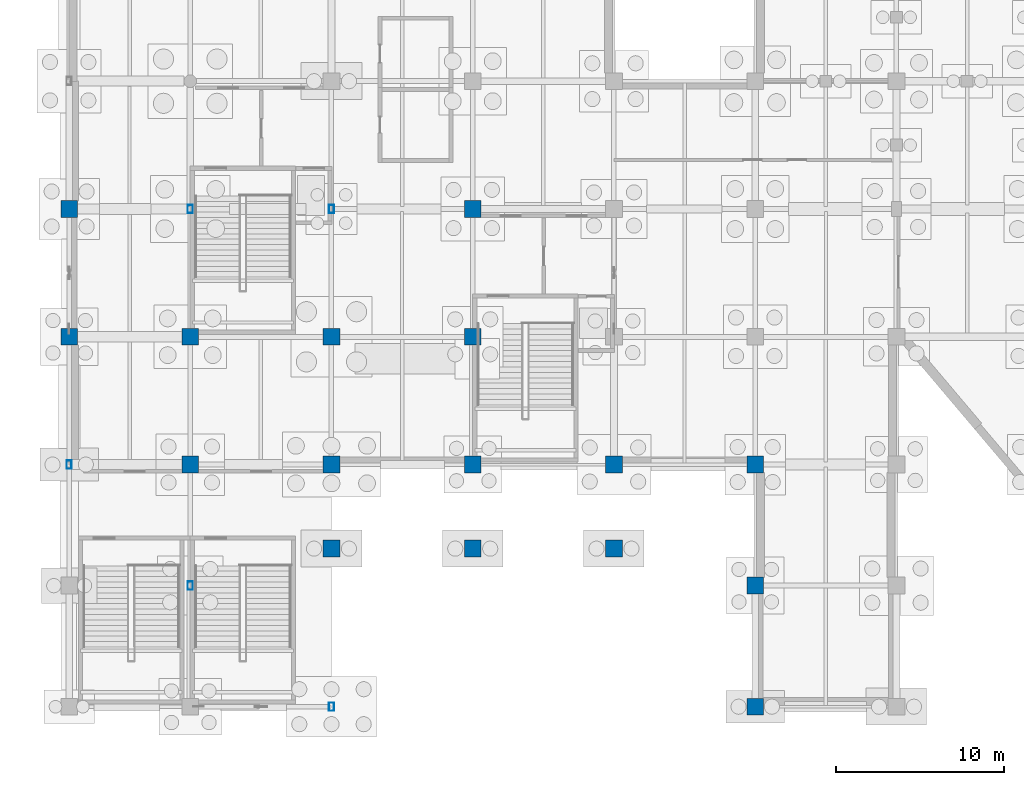
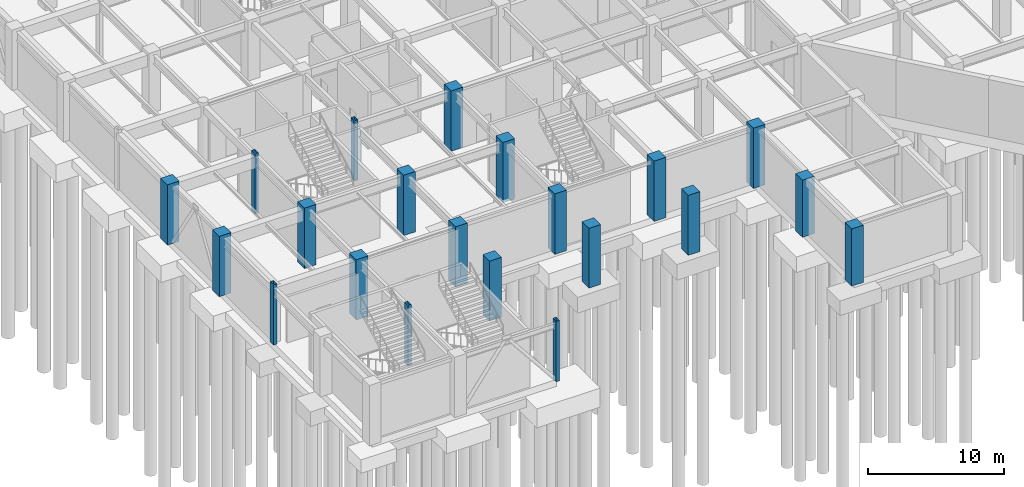
# One storey, part 14 of 52: 21 columns.
"""IFC4 building model written with IfcOpenShell, lengths in metres."""

from ifc_helpers import new_model, si_unit, direction, frame, origin, origin_2d, place, context, subcontext, project, spatial, rectangle, hollow_rectangle, extrude, material, material_profile, profile_set, type_object, element, save


model = new_model("IFC4")

# Units and contexts
model_context = context("Model", 3, precision=1e-05, world=origin(), true_north=direction((0.0, 1.0)))
body_context = subcontext(model_context, "Body", "Model", "MODEL_VIEW")
ifc_project = project(units=[si_unit("LENGTHUNIT", "METRE"), si_unit("AREAUNIT", "SQUARE_METRE"), si_unit("VOLUMEUNIT", "CUBIC_METRE"), si_unit("PLANEANGLEUNIT", "RADIAN"), si_unit("MASSUNIT", "GRAM", prefix="KILO")], contexts=[model_context])

# Site, building, storey
site_placement = place(None, origin())
site = spatial("IfcSite", under=ifc_project, at=site_placement, CompositionType="ELEMENT")
building_placement = place(site_placement, origin())
building = spatial("IfcBuilding", under=site, at=building_placement, Name="Xicomal Pleat Aquarium", CompositionType="ELEMENT")
storey_placement = place(building_placement, frame((0.0, 0.0, -5.39990234375)))
storey = spatial("IfcBuildingStorey", under=building, at=storey_placement, Name="B1", CompositionType="ELEMENT", Elevation=-5.39990234375)

# Columns
ifc_material_1 = material(Name="Concrete C40/50", Category="concrete")
ifc_material_profile_1 = material_profile(ifc_material_1, rectangle(XDim=1.0, YDim=1.0, at=origin_2d()), Name="RC 1000x1000")
ifc_profile_set_1 = profile_set([ifc_material_profile_1], Name="Concrete C40/50")
column_type_1 = type_object("IfcColumnType", Name="COL-RC-1000x1000", PredefinedType="COLUMN", material=ifc_profile_set_1)
for number, where, z_axis, x_axis, name in (
    (1, (3.0, 22.800048828125, 0.0), (0.0, 0.0, 1.0), (1.0, 0.0, 0.0), "B1 column 01/D"),
    (2, (3.0, 30.39990234375, 0.0), (0.0, 0.0, 1.0), (1.0, 0.0, 0.0), "B1 column 01/E"),
    (3, (10.199951171875, 15.199951171875, 0.0), (0.0, 0.0, 1.0), (1.0, 0.0, 0.0), "B1 column 02/C"),
    (4, (10.199951171875, 22.800048828125, 0.0), (0.0, 0.0, 1.0), (1.0, 0.0, 0.0), "B1 column 02/D"),
    (5, (18.60009765625, 15.199951171875, 0.0), (0.0, 0.0, 1.0), (1.0, 0.0, 0.0), "B1 column 03/C"),
    (6, (18.60009765625, 22.800048828125, 0.0), (0.0, 0.0, 1.0), (1.0, 0.0, 0.0), "B1 column 03/D"),
    (7, (27.0, 15.199951171875, 0.0), (0.0, 0.0, 1.0), (1.0, 0.0, 0.0), "B1 column 04/C"),
    (8, (27.0, 22.800048828125, 0.0), (0.0, 0.0, 1.0), (1.0, 0.0, 0.0), "B1 column 04/D"),
    (9, (27.0, 30.39990234375, 0.0), (0.0, 0.0, 1.0), (1.0, 0.0, 0.0), "B1 column 04/E"),
    (10, (35.39990234375, 15.199951171875, 0.0), (0.0, 0.0, 1.0), (1.0, 0.0, 0.0), "B1 column 05/C"),
):
    element("IfcColumn", number, at=place(storey_placement, frame(where, z_axis=z_axis, x_axis=x_axis)), inside=storey, type_object=column_type_1, Name=name, PredefinedType="COLUMN", context=body_context, shape_type="SweptSolid", body=[
        extrude(rectangle(XDim=1.0, YDim=1.0, at=origin_2d()), origin(), (0.0, 0.0, 1.0), 5.39990234375),
    ])
for number, where, z_axis, x_axis, name in (
    (11, (43.800048828125, 0.800048828125, 0.0), (0.0, 0.0, 1.0), (1.0, 0.0, 0.0), "B1 column 06/A"),
    (12, (43.800048828125, 8.0, 0.0), (0.0, 0.0, 1.0), (1.0, 0.0, 0.0), "B1 column 06/B"),
):
    element("IfcColumn", number, at=place(storey_placement, frame(where, z_axis=z_axis, x_axis=x_axis)), inside=storey, type_object=column_type_1, Name=name, PredefinedType="COLUMN", context=body_context, shape_type="SweptSolid", body=[
        extrude(rectangle(XDim=1.0, YDim=1.0, at=origin_2d()), origin(), (0.0, 0.0, 1.0), 5.119873046875),
    ])
column_placement = place(storey_placement, frame((43.800048828125, 15.199951171875, 0.0), z_axis=(0.0, 0.0, 1.0), x_axis=(1.0, 0.0, 0.0)))
element("IfcColumn", 13, at=column_placement, inside=storey, type_object=column_type_1, Name="B1 column 06/C", PredefinedType="COLUMN", context=body_context, shape_type="SweptSolid", body=[
    extrude(rectangle(XDim=1.0, YDim=1.0, at=origin_2d()), origin(), (0.0, 0.0, 1.0), 5.39990234375),
])
for number, where, z_axis, x_axis, name in (
    (14, (18.60009765625, 10.199951171875, 0.0), (0.0, 0.0, 1.0), (1.0, 0.0, 0.0), "B1 splayed pavilion column pier 03"),
    (15, (27.0, 10.199951171875, 0.0), (0.0, 0.0, 1.0), (1.0, 0.0, 0.0), "B1 splayed pavilion column pier 04"),
    (16, (35.39990234375, 10.199951171875, 0.0), (0.0, 0.0, 1.0), (1.0, 0.0, 0.0), "B1 splayed pavilion column pier 05"),
):
    element("IfcColumn", number, at=place(storey_placement, frame(where, z_axis=z_axis, x_axis=x_axis)), inside=storey, type_object=column_type_1, Name=name, PredefinedType="COLUMN", context=body_context, shape_type="SweptSolid", body=[
        extrude(rectangle(XDim=1.0, YDim=1.0, at=origin_2d()), origin(), (0.0, 0.0, 1.0), 5.35986328125),
    ])
ifc_material_2 = material(Name="Structural steel A500 Gr C", Category="steel")
ifc_material_profile_2 = material_profile(ifc_material_2, hollow_rectangle(XDim=0.300048828125, YDim=0.5, WallThickness=0.01611328125, at=origin_2d()), Name="OR 500x300x16")
ifc_profile_set_2 = profile_set([ifc_material_profile_2], Name="Structural steel A500 Gr C")
column_type_2 = type_object("IfcColumnType", Name="COL-STL-OR500", PredefinedType="COLUMN", material=ifc_profile_set_2)
for number, where, z_axis, x_axis, name in (
    (17, (3.0, 15.199951171875, 0.0), (0.0, 0.0, 1.0), (1.0, 0.0, 0.0), "B1 column 01/C"),
    (18, (10.199951171875, 8.0, 0.0), (0.0, 0.0, 1.0), (1.0, 0.0, 0.0), "B1 column 02/B"),
    (19, (10.199951171875, 30.39990234375, 0.0), (0.0, 0.0, 1.0), (1.0, 0.0, 0.0), "B1 column 02/E"),
    (20, (18.60009765625, 0.800048828125, 0.0), (0.0, 0.0, 1.0), (1.0, 0.0, 0.0), "B1 column 03/A"),
    (21, (18.60009765625, 30.39990234375, 0.0), (0.0, 0.0, 1.0), (1.0, 0.0, 0.0), "B1 column 03/E"),
):
    element("IfcColumn", number, at=place(storey_placement, frame(where, z_axis=z_axis, x_axis=x_axis)), inside=storey, type_object=column_type_2, Name=name, PredefinedType="COLUMN", context=body_context, shape_type="SweptSolid", body=[
        extrude(hollow_rectangle(XDim=0.300048828125, YDim=0.5, WallThickness=0.01611328125, at=origin_2d()), origin(), (0.0, 0.0, 1.0), 5.39990234375),
    ])

save(model, "model.ifc")
